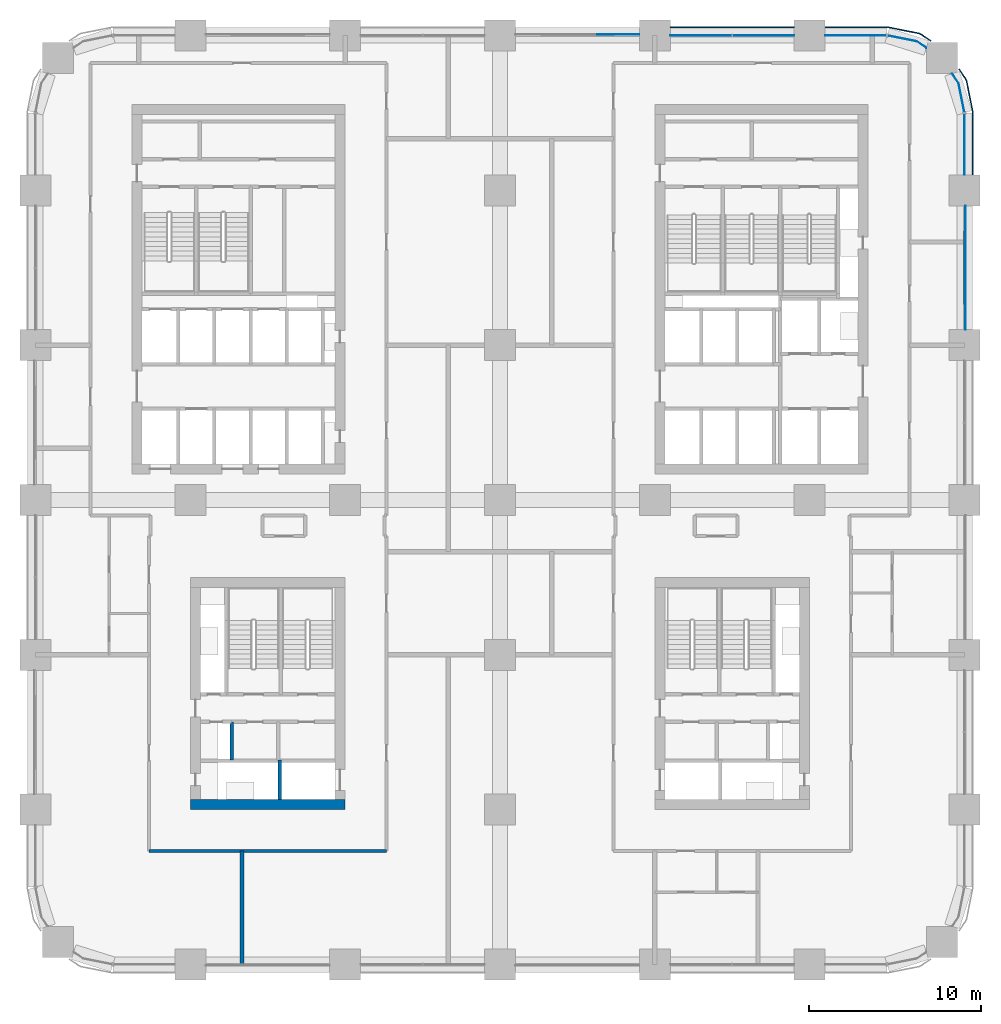
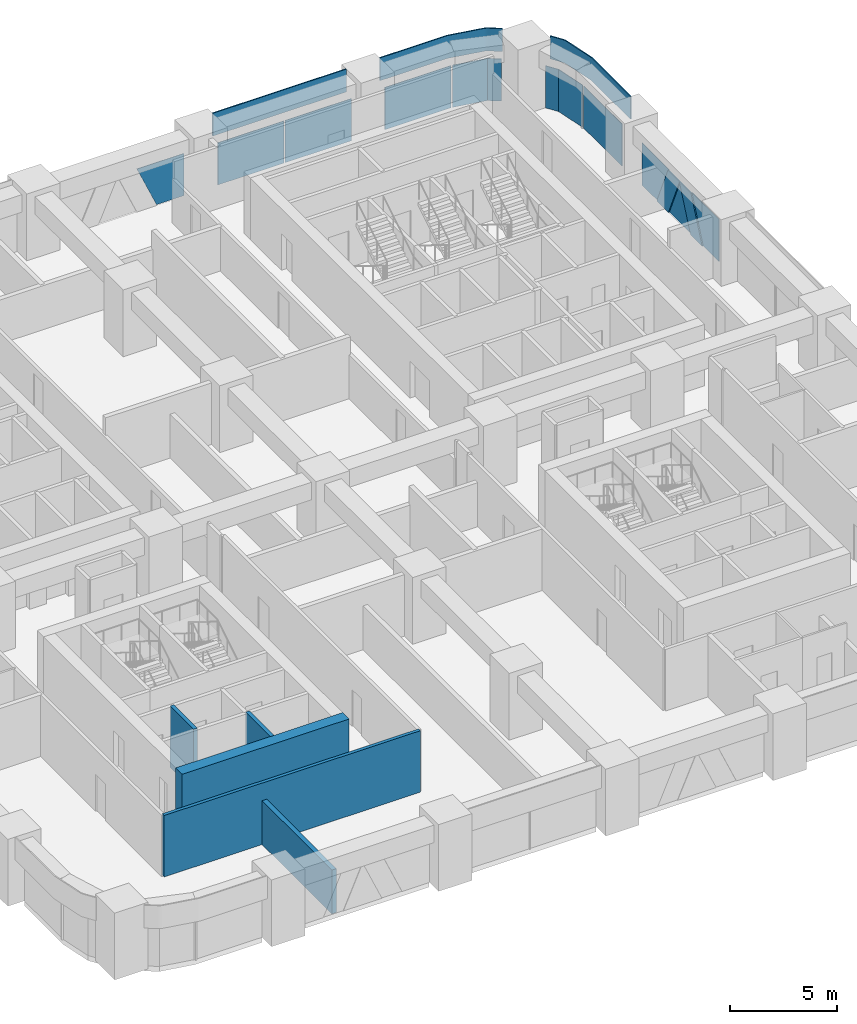
# One storey, part 12 of 21: 14 plates, 5 walls, 5 elements without a shape of their own.
"""IFC4 building model written with IfcOpenShell, lengths in metres."""

from ifc_helpers import new_model, si_unit, direction, frame, frame_2d, origin, origin_2d, place, context, subcontext, project, spatial, polyline, rectangle, outline, extrude, material, layer, layer_set, type_object, element, aggregate, save


model = new_model("IFC4")

# Units and contexts
model_context = context("Model", 3, precision=1e-05, world=origin(), true_north=direction((0.0, 1.0)))
body_context = subcontext(model_context, "Body", "Model", "MODEL_VIEW")
ifc_project = project(units=[si_unit("LENGTHUNIT", "METRE"), si_unit("AREAUNIT", "SQUARE_METRE"), si_unit("VOLUMEUNIT", "CUBIC_METRE"), si_unit("PLANEANGLEUNIT", "RADIAN"), si_unit("MASSUNIT", "GRAM", prefix="KILO")], contexts=[model_context])

# Site, building, storey
site_placement = place(None, origin())
site = spatial("IfcSite", under=ifc_project, at=site_placement, CompositionType="ELEMENT")
building_placement = place(site_placement, origin())
building = spatial("IfcBuilding", under=site, at=building_placement, Name="Tessera Arch", CompositionType="ELEMENT")
storey_placement = place(building_placement, frame((0.0, 0.0, 65.199951171875)))
storey = spatial("IfcBuildingStorey", under=building, at=storey_placement, Name="L14", CompositionType="ELEMENT", Elevation=65.199951171875)

# Curtain wall, plates
ifc_material_1 = material(Name="CW1 curtain wall")
curtain_wall_type_1 = type_object("IfcCurtainWallType", Name="CW1 curtain wall", PredefinedType="NOTDEFINED", material=ifc_material_1)
curtain_wall_1_placement = place(storey_placement, origin())
curtain_wall_1 = element("IfcCurtainWall", 1, at=curtain_wall_1_placement, inside=storey, type_object=curtain_wall_type_1, Name="CW1 curtain wall N54.0/1 L14", PredefinedType="NOTDEFINED")
ifc_material_2 = material(Name="Clear low-e glass", Category="glass")
ifc_material_3 = material(Name="Clear low-e glass", Category="glass")
ifc_layer_1 = layer(ifc_material_3, 0.028076171875)
ifc_layer_set_1 = layer_set([ifc_layer_1], Name="CW1 glass panel")
plate_type_1 = type_object("IfcPlateType", Name="CW1 glass panel", PredefinedType="CURTAIN_PANEL", material=ifc_layer_set_1)
plate_1_placement = place(storey_placement, frame((42.31494140625, 54.0, 0.0), z_axis=(0.0, 0.0, 1.0), x_axis=(-1.0, 0.0, 0.0)))
plate_1 = element("IfcPlate", 2, at=plate_1_placement, type_object=plate_type_1, material=ifc_material_2, Name="CW1 glass panel N54.0/1 1.1.1", PredefinedType="CURTAIN_PANEL", context=body_context, shape_type="SweptSolid", body=[
    extrude(rectangle(XDim=3.570068359375, YDim=0.028076171875, at=origin_2d()), origin(), (0.0, 0.0, 1.0), 2.39990234375),
])
plate_2_placement = place(storey_placement, frame((38.68505859375, 54.0, 0.0), z_axis=(0.0, 0.0, 1.0), x_axis=(-1.0, 0.0, 0.0)))
plate_2 = element("IfcPlate", 3, at=plate_2_placement, type_object=plate_type_1, material=ifc_material_2, Name="CW1 glass panel N54.0/1 1.2.1", PredefinedType="CURTAIN_PANEL", context=body_context, shape_type="SweptSolid", body=[
    extrude(rectangle(XDim=3.570068359375, YDim=0.028076171875, at=origin_2d()), origin(), (0.0, 0.0, 1.0), 2.39990234375),
])
ifc_material_4 = material(Name="Pale anodised aluminium panel", Category="aluminium")
ifc_layer_2 = layer(ifc_material_4, 0.06005859375)
ifc_layer_set_2 = layer_set([ifc_layer_2], Name="CW1 spandrel panel")
plate_type_2 = type_object("IfcPlateType", Name="CW1 spandrel panel", PredefinedType="CURTAIN_PANEL", material=ifc_layer_set_2)
plate_3_placement = place(storey_placement, frame((40.5, 54.47998046875, 2.5), z_axis=(0.0, 0.0, 1.0), x_axis=(-1.0, 0.0, 0.0)))
plate_3 = element("IfcPlate", 4, at=plate_3_placement, type_object=plate_type_2, Name="CW1 spandrel panel N54.0/1", PredefinedType="CURTAIN_PANEL", context=body_context, shape_type="SweptSolid", body=[
    extrude(rectangle(XDim=7.199951171875, YDim=0.06005859375, at=origin_2d()), origin(), (0.0, 0.0, 1.0), 1.300048828125),
])
aggregate(curtain_wall_1, [plate_1, plate_2, plate_3])

ifc_material_5 = material(Name="CW2 curtain wall")
curtain_wall_type_2 = type_object("IfcCurtainWallType", Name="CW2 curtain wall", PredefinedType="NOTDEFINED", material=ifc_material_5)
curtain_wall_2_placement = place(storey_placement, origin())
curtain_wall_2 = element("IfcCurtainWall", 5, at=curtain_wall_2_placement, inside=storey, type_object=curtain_wall_type_2, Name="CW2 curtain wall E54.0/5 L14", PredefinedType="NOTDEFINED")
ifc_material_6 = material(Name="Clear low-e glass", Category="glass")
ifc_layer_3 = layer(ifc_material_6, 0.028076171875)
ifc_layer_set_3 = layer_set([ifc_layer_3], Name="CW2 glass panel")
plate_type_3 = type_object("IfcPlateType", Name="CW2 glass panel", PredefinedType="CURTAIN_PANEL", material=ifc_layer_set_3)
plate_4_placement = place(storey_placement, frame((54.0, 47.679931640625, 0.0), z_axis=(0.0, 0.0, 1.0), x_axis=(0.0, 1.0, 0.0)))
plate_4 = element("IfcPlate", 6, at=plate_4_placement, type_object=plate_type_3, material=ifc_material_2, Name="CW2 glass panel E54.0/5 1.1", PredefinedType="CURTAIN_PANEL", context=body_context, shape_type="SweptSolid", body=[
    extrude(rectangle(XDim=3.56005859375, YDim=0.028076171875, at=origin_2d()), origin(), (0.0, 0.0, 1.0), 2.39990234375),
])
plate_5_placement = place(storey_placement, origin())
plate_5 = element("IfcPlate", 7, at=plate_5_placement, type_object=plate_type_3, material=ifc_material_2, Name="CW2 curved glass panel E54.0/5 2.1", PredefinedType="CURTAIN_PANEL", context=body_context, shape_type="SweptSolid", body=[
    extrude(outline(polyline([(53.644287109375, 51.216552734375), (53.978515625, 49.53662109375), (54.005859375, 49.5419921875), (53.670654296875, 51.2275390625), (53.294921875, 51.789794921875), (53.271728515625, 51.774169921875), (53.644287109375, 51.216552734375)])), origin(), (0.0, 0.0, 1.0), 2.400146484375),
])

curtain_wall_3_placement = place(storey_placement, origin())
curtain_wall_3 = element("IfcCurtainWall", 8, at=curtain_wall_3_placement, inside=storey, type_object=curtain_wall_type_2, Name="CW2 curtain wall N54.0/0 L14", PredefinedType="NOTDEFINED")
plate_6_placement = place(storey_placement, frame((47.679931640625, 54.0, 0.0), z_axis=(0.0, 0.0, 1.0), x_axis=(-1.0, 0.0, 0.0)))
plate_6 = element("IfcPlate", 9, at=plate_6_placement, type_object=plate_type_3, material=ifc_material_2, Name="CW2 glass panel N54.0/0 1.1", PredefinedType="CURTAIN_PANEL", context=body_context, shape_type="SweptSolid", body=[
    extrude(rectangle(XDim=3.56005859375, YDim=0.028076171875, at=origin_2d()), origin(), (0.0, 0.0, 1.0), 2.39990234375),
])
plate_7_placement = place(storey_placement, origin())
plate_7 = element("IfcPlate", 10, at=plate_7_placement, type_object=plate_type_3, material=ifc_material_2, Name="CW2 curved glass panel N54.0/0 2.1", PredefinedType="CURTAIN_PANEL", context=body_context, shape_type="SweptSolid", body=[
    extrude(outline(polyline([(51.216552734375, 53.644287109375), (51.774169921875, 53.271728515625), (51.789794921875, 53.294921875), (51.2275390625, 53.670654296875), (49.5419921875, 54.005859375), (49.53662109375, 53.978515625), (51.216552734375, 53.644287109375)])), origin(), (0.0, 0.0, 1.0), 2.400146484375),
])

# Plate
ifc_material_7 = material(Name="Pale anodised aluminium panel", Category="aluminium")
ifc_layer_4 = layer(ifc_material_7, 0.06005859375)
ifc_layer_set_4 = layer_set([ifc_layer_4], Name="CW2 spandrel panel")
plate_type_4 = type_object("IfcPlateType", Name="CW2 spandrel panel", PredefinedType="CURTAIN_PANEL", material=ifc_layer_set_4)
plate_8_placement = place(storey_placement, frame((0.0, 0.0, 2.5)))
plate_8 = element("IfcPlate", 11, at=plate_8_placement, type_object=plate_type_4, Name="CW2 spandrel panel E54.0/5", PredefinedType="CURTAIN_PANEL", context=body_context, shape_type="SweptSolid", body=[
    extrude(outline(polyline([(54.449951171875, 49.499267578125), (54.449951171875, 45.89990234375), (54.510009765625, 45.89990234375), (54.510009765625, 49.500732421875), (54.507568359375, 49.550048828125), (54.500244140625, 49.598876953125), (54.157470703125, 51.322265625), (54.1455078125, 51.3701171875), (54.128662109375, 51.417236328125), (54.107177734375, 51.462646484375), (54.08203125, 51.5048828125), (53.707275390625, 52.0654296875), (53.657470703125, 52.031982421875), (54.03125, 51.47265625), (54.05419921875, 51.434326171875), (54.0732421875, 51.394287109375), (54.088134765625, 51.352783203125), (54.09912109375, 51.30908203125), (54.441162109375, 49.588623046875), (54.44775390625, 49.544189453125), (54.449951171875, 49.499267578125)])), origin(), (0.0, 0.0, 1.0), 1.300048828125),
])

aggregate(curtain_wall_2, [plate_4, plate_5, plate_8])

plate_9_placement = place(storey_placement, frame((0.0, 0.0, 2.5)))
plate_9 = element("IfcPlate", 12, at=plate_9_placement, type_object=plate_type_4, Name="CW2 spandrel panel N54.0/0", PredefinedType="CURTAIN_PANEL", context=body_context, shape_type="SweptSolid", body=[
    extrude(outline(polyline([(51.47265625, 54.03125), (52.031982421875, 53.657470703125), (52.0654296875, 53.707275390625), (51.5048828125, 54.08203125), (51.462646484375, 54.107177734375), (51.417236328125, 54.128662109375), (51.3701171875, 54.1455078125), (51.322265625, 54.157470703125), (49.598876953125, 54.500244140625), (49.550048828125, 54.507568359375), (49.500732421875, 54.510009765625), (45.89990234375, 54.510009765625), (45.89990234375, 54.449951171875), (49.499267578125, 54.449951171875), (49.544189453125, 54.44775390625), (49.588623046875, 54.441162109375), (51.30908203125, 54.09912109375), (51.352783203125, 54.088134765625), (51.394287109375, 54.0732421875), (51.434326171875, 54.05419921875), (51.47265625, 54.03125)])), origin(), (0.0, 0.0, 1.0), 1.300048828125),
])

aggregate(curtain_wall_3, [plate_6, plate_7, plate_9])

# Curtain wall, plates
ifc_material_8 = material(Name="CW3 curtain wall")
curtain_wall_type_3 = type_object("IfcCurtainWallType", Name="CW3 curtain wall", PredefinedType="NOTDEFINED", material=ifc_material_8)
curtain_wall_4_placement = place(storey_placement, origin())
curtain_wall_4 = element("IfcCurtainWall", 13, at=curtain_wall_4_placement, inside=storey, type_object=curtain_wall_type_3, Name="CW3 curtain wall E54.0/4 L14", PredefinedType="NOTDEFINED")
ifc_material_9 = material(Name="Pale anodised aluminium panel", Category="aluminium")
ifc_layer_5 = layer(ifc_material_9, 0.06005859375)
ifc_layer_set_5 = layer_set([ifc_layer_5], Name="CW3 diagonal panel")
plate_type_5 = type_object("IfcPlateType", Name="CW3 diagonal panel", PredefinedType="CURTAIN_PANEL", material=ifc_layer_set_5)
plate_10_placement = place(storey_placement, frame((54.030029296875, 41.569580078125, 2.400146484375), z_axis=(1.0, 0.0, 0.0), x_axis=(0.0, -1.0, 0.0)))
plate_10 = element("IfcPlate", 14, at=plate_10_placement, type_object=plate_type_5, Name="CW3 diagonal panel E54.0/4 1", PredefinedType="CURTAIN_PANEL", context=body_context, shape_type="SweptSolid", body=[
    extrude(outline(polyline([(0.0, 0.0), (2.13916015625, 0.0), (3.19287109375, 2.400146484375), (2.107177734375, 2.400146484375), (1.069580078125, 0.036376953125), (0.031982421875, 2.400146484375), (-1.0537109375, 2.400146484375), (0.0, 0.0)])), origin(), (0.0, 0.0, -1.0), 0.06005859375),
])
ifc_material_10 = material(Name="Clear low-e glass", Category="glass")
ifc_layer_6 = layer(ifc_material_10, 0.028076171875)
ifc_layer_set_6 = layer_set([ifc_layer_6], Name="CW3 glass panel")
plate_type_6 = type_object("IfcPlateType", Name="CW3 glass panel", PredefinedType="CURTAIN_PANEL", material=ifc_layer_set_6)
plate_11_placement = place(storey_placement, frame((54.05810546875, 36.89990234375, 0.0), z_axis=(1.0, 0.0, 0.0), x_axis=(0.0, 1.0, 0.0)))
plate_11 = element("IfcPlate", 15, at=plate_11_placement, type_object=plate_type_6, material=ifc_material_2, Name="CW3 triangulated glass panel E54.0/4 1", PredefinedType="CURTAIN_PANEL", context=body_context, shape_type="SweptSolid", body=[
    extrude(outline(polyline([(0.0, 0.0), (1.476806640625, 0.0), (2.530517578125, 2.400146484375), (0.0, 2.400146484375), (0.0, 0.0)])), origin(), (0.0, 0.0, -1.0), 0.028076171875),
])
plate_12_placement = place(storey_placement, frame((54.05810546875, 39.46240234375, 0.0), z_axis=(1.0, 0.0, 0.0), x_axis=(0.0, 1.0, 0.0)))
plate_12 = element("IfcPlate", 16, at=plate_12_placement, type_object=plate_type_6, material=ifc_material_2, Name="CW3 triangulated glass panel E54.0/4 2", PredefinedType="CURTAIN_PANEL", context=body_context, shape_type="SweptSolid", body=[
    extrude(outline(polyline([(0.0, 0.0), (2.0751953125, 0.0), (1.03759765625, 2.36376953125), (0.0, 0.0)])), origin(), (0.0, 0.0, -1.0), 0.028076171875),
])
plate_13_placement = place(storey_placement, frame((54.05810546875, 44.10009765625, 2.400146484375), z_axis=(1.0, 0.0, 0.0), x_axis=(0.0, -1.0, 0.0)))
plate_13 = element("IfcPlate", 17, at=plate_13_placement, type_object=plate_type_6, material=ifc_material_2, Name="CW3 triangulated glass panel E54.0/4 3", PredefinedType="CURTAIN_PANEL", context=body_context, shape_type="SweptSolid", body=[
    extrude(outline(polyline([(0.0, 0.0), (2.530517578125, 0.0), (1.476806640625, 2.400146484375), (0.0, 2.400146484375), (0.0, 0.0)])), origin(), (0.0, 0.0, -1.0), 0.028076171875),
])
aggregate(curtain_wall_4, [plate_11, plate_12, plate_13, plate_10])

# Curtain wall, plate
curtain_wall_5_placement = place(storey_placement, origin())
curtain_wall_5 = element("IfcCurtainWall", 18, at=curtain_wall_5_placement, inside=storey, type_object=curtain_wall_type_3, Name="CW3 curtain wall N54.0/2 L14", PredefinedType="NOTDEFINED")
plate_14_placement = place(storey_placement, frame((35.10009765625, 54.05810546875, 0.0), z_axis=(0.0, 1.0, 0.0), x_axis=(-1.0, 0.0, 0.0)))
plate_14 = element("IfcPlate", 19, at=plate_14_placement, type_object=plate_type_6, material=ifc_material_2, Name="CW3 triangulated glass panel N54.0/2 1", PredefinedType="CURTAIN_PANEL", context=body_context, shape_type="SweptSolid", body=[
    extrude(outline(polyline([(0.0, 0.0), (1.476806640625, 0.0), (2.530517578125, 2.400146484375), (0.0, 2.400146484375), (0.0, 0.0)])), origin(), (0.0, 0.0, -1.0), 0.028076171875),
])
aggregate(curtain_wall_5, [plate_14])

# Walls
ifc_material_11 = material(Name="Concrete C70/85", Category="concrete")
ifc_layer_7 = layer(ifc_material_11, 0.60009765625)
ifc_layer_set_7 = layer_set([ifc_layer_7], Name="Core shell wall 600 C70-85")
wall_type_1 = type_object("IfcWallType", Name="Core shell wall 600 C70-85", PredefinedType="SHEAR", material=ifc_layer_set_7)
wall_1_placement = place(storey_placement, frame((9.0, 9.300048828125, 0.0), z_axis=(0.0, 0.0, 1.0), x_axis=(1.0, 0.0, 0.0)))
element("IfcWall", 20, at=wall_1_placement, inside=storey, type_object=wall_type_1, Name="L14 C4 core wall S", PredefinedType="SHEAR", context=body_context, shape_type="SweptSolid", body=[
    extrude(rectangle(XDim=9.0, YDim=0.60009765625, at=frame_2d((4.5, 0.0))), origin(), (0.0, 0.0, 1.0), 3.5),
])
ifc_material_12 = material(Name="Gypsum board on deep steel stud with mineral wool", Category="steel")
ifc_layer_8 = layer(ifc_material_12, 0.175048828125)
ifc_layer_set_8 = layer_set([ifc_layer_8], Name="Corridor wall 175 EI 60")
wall_type_2 = type_object("IfcWallType", Name="Corridor wall 175 EI 60", PredefinedType="PARTITIONING", material=ifc_layer_set_8)
wall_2_placement = place(storey_placement, frame((6.60009765625, 6.60009765625, 0.0), z_axis=(0.0, 0.0, 1.0), x_axis=(1.0, 0.0, 0.0)))
element("IfcWall", 21, at=wall_2_placement, inside=storey, type_object=wall_type_2, Name="L14 partition 1", PredefinedType="PARTITIONING", context=body_context, shape_type="SweptSolid", body=[
    extrude(rectangle(XDim=13.7998046875, YDim=0.175048828125, at=frame_2d((6.89990234375, 0.0))), origin(), (0.0, 0.0, 1.0), 3.5),
])
ifc_material_13 = material(Name="Double gypsum board on twin steel stud with acoustic mineral wool", Category="steel")
ifc_layer_9 = layer(ifc_material_13, 0.25)
ifc_layer_set_9 = layer_set([ifc_layer_9], Name="Party wall 250 EI 60")
wall_type_3 = type_object("IfcWallType", Name="Party wall 250 EI 60", PredefinedType="PARTITIONING", material=ifc_layer_set_9)
wall_3_placement = place(storey_placement, frame((12.0, 0.0, 0.0), z_axis=(0.0, 0.0, 1.0), x_axis=(0.0, 1.0, 0.0)))
element("IfcWall", 22, at=wall_3_placement, inside=storey, type_object=wall_type_3, Name="L14 partition 48", PredefinedType="PARTITIONING", context=body_context, shape_type="SweptSolid", body=[
    extrude(rectangle(XDim=6.60009765625, YDim=0.25, at=frame_2d((3.300048828125, 0.0))), origin(), (0.0, 0.0, 1.0), 2.5),
])
ifc_material_14 = material(Name="Concrete C40/50", Category="concrete")
ifc_layer_10 = layer(ifc_material_14, 0.199951171875)
ifc_layer_set_10 = layer_set([ifc_layer_10], Name="Shaft wall 200 EI 120")
wall_type_4 = type_object("IfcWallType", Name="Shaft wall 200 EI 120", PredefinedType="SOLIDWALL", material=ifc_layer_set_10)
wall_4_placement = place(storey_placement, frame((11.39990234375, 11.89990234375, 0.0), z_axis=(0.0, 0.0, 1.0), x_axis=(0.0, 1.0, 0.0)))
element("IfcWall", 23, at=wall_4_placement, inside=storey, type_object=wall_type_4, Name="L14 C4 shaft wall 3", PredefinedType="SOLIDWALL", context=body_context, shape_type="SweptSolid", body=[
    extrude(rectangle(XDim=2.2001953125, YDim=0.199951171875, at=frame_2d((1.10009765625, 0.0))), origin(), (0.0, 0.0, 1.0), 3.5),
])
wall_5_placement = place(storey_placement, frame((14.199951171875, 9.60009765625, 0.0), z_axis=(0.0, 0.0, 1.0), x_axis=(0.0, 1.0, 0.0)))
element("IfcWall", 24, at=wall_5_placement, inside=storey, type_object=wall_type_4, Name="L14 C4 shaft wall 5", PredefinedType="SOLIDWALL", context=body_context, shape_type="SweptSolid", body=[
    extrude(rectangle(XDim=2.2998046875, YDim=0.199951171875, at=frame_2d((1.14990234375, 0.0))), origin(), (0.0, 0.0, 1.0), 3.5),
])

save(model, "model.ifc")
